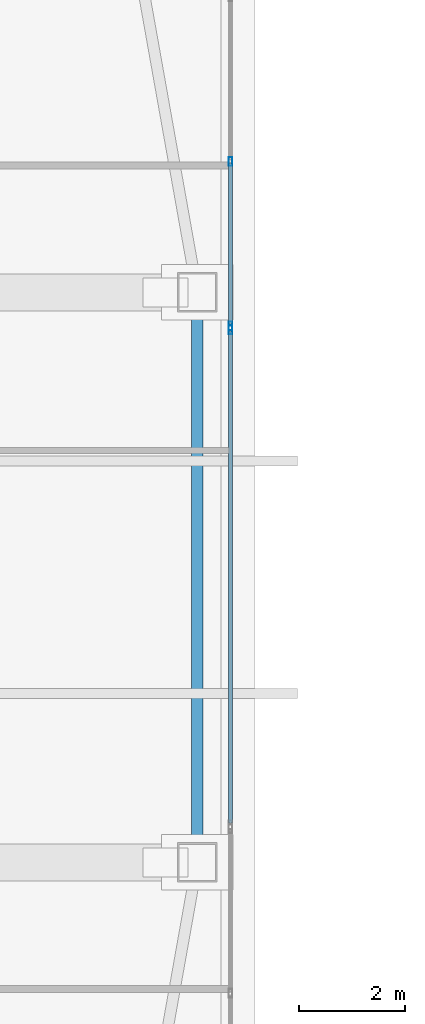
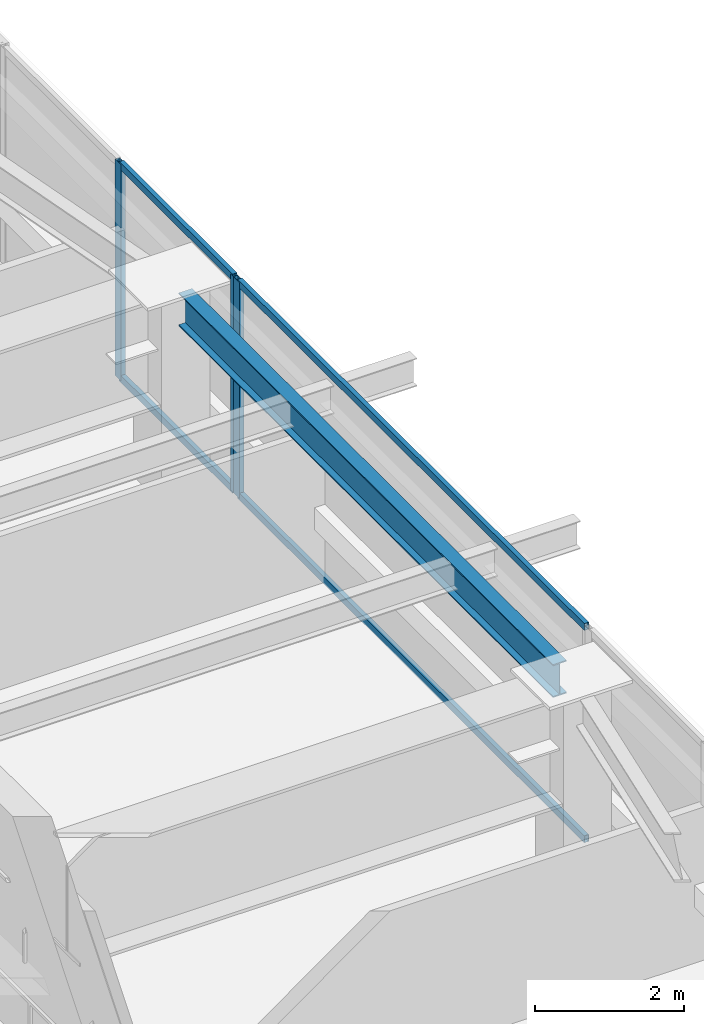
# One storey, part 11 of 40: 7 members, 1 beam, 2 elements without a shape of their own.
"""IFC4 building model written with IfcOpenShell, lengths in metres."""

from ifc_helpers import new_model, si_unit, direction, frame, origin, origin_2d, place, context, subcontext, project, spatial, hollow_rectangle, i_section, extrude, material, material_profile, profile_set, type_object, element, aggregate, save


model = new_model("IFC4")

# Units and contexts
model_context = context("Model", 3, precision=1e-05, world=origin(), true_north=direction((0.0, 1.0)))
body_context = subcontext(model_context, "Body", "Model", "MODEL_VIEW")
ifc_project = project(units=[si_unit("LENGTHUNIT", "METRE"), si_unit("AREAUNIT", "SQUARE_METRE"), si_unit("VOLUMEUNIT", "CUBIC_METRE"), si_unit("PLANEANGLEUNIT", "RADIAN"), si_unit("MASSUNIT", "GRAM", prefix="KILO")], contexts=[model_context])

# Site, building, storey
site_placement = place(None, origin())
site = spatial("IfcSite", under=ifc_project, at=site_placement, CompositionType="ELEMENT")
building_placement = place(site_placement, origin())
building = spatial("IfcBuilding", under=site, at=building_placement, Name="Tashvorn Skyway Center", CompositionType="ELEMENT")
storey_placement = place(building_placement, frame((0.0, 0.0, 229.050048828125)))
storey = spatial("IfcBuildingStorey", under=building, at=storey_placement, Name="L62", CompositionType="ELEMENT", Elevation=229.050048828125)

# Beam
ifc_material_1 = material(Name="Steel ASTM A992 Grade 50", Category="steel")
ifc_material_profile_1 = material_profile(ifc_material_1, i_section(OverallWidth=0.2109375, OverallDepth=0.5390625, WebThickness=0.01171875, FlangeThickness=0.018798828125, at=origin_2d()), Name="W21X73")
ifc_profile_set_1 = profile_set([ifc_material_profile_1], Name="Steel ASTM A992 Grade 50")
beam_type = type_object("IfcBeamType", Name="BM-SPANDREL-W21X73", PredefinedType="SPANDREL", material=ifc_profile_set_1)
beam_placement = place(storey_placement, frame((57.64990234375, 26.969970703125, 3.100341796875), z_axis=(0.0, 1.0, 0.0), x_axis=(-1.0, 0.0, 0.0)))
element("IfcBeam", 1, at=beam_placement, inside=storey, type_object=beam_type, Name="Tower 1 L62 Spandrel Beam 05", PredefinedType="SPANDREL", context=body_context, shape_type="SweptSolid", body=[
    extrude(i_section(OverallWidth=0.2109375, OverallDepth=0.5390625, WebThickness=0.01171875, FlangeThickness=0.018798828125, at=origin_2d()), origin(), (0.0, 0.0, 1.0), 10.06005859375),
])

# Curtain wall, members
ifc_material_2 = material(Name="Thermally broken bronze-anodized aluminium 6063-T6", Category="aluminium")
curtain_wall_type = type_object("IfcCurtainWallType", Name="CW-CW-Z5", PredefinedType="NOTDEFINED", material=ifc_material_2)
curtain_wall_1_placement = place(storey_placement, origin())
curtain_wall_1 = element("IfcCurtainWall", 2, at=curtain_wall_1_placement, inside=storey, type_object=curtain_wall_type, Name="Tower 1 L62 East Unitised Curtain Wall Glazing Group 1", PredefinedType="NOTDEFINED")
ifc_material_profile_2 = material_profile(ifc_material_2, hollow_rectangle(XDim=0.070068359375, YDim=0.1650390625, WallThickness=0.00390625, at=origin_2d()), Name="ALU-MULL-70x165")
ifc_profile_set_2 = profile_set([ifc_material_profile_2], Name="Thermally broken bronze-anodized aluminium 6063-T6")
member_type_1 = type_object("IfcMemberType", Name="CWM-CW-Z5", PredefinedType="MULLION", material=ifc_profile_set_2)
member_1_placement = place(storey_placement, frame((58.280029296875, 39.877685546875, 0.0), z_axis=(0.0, 0.0, 1.0), x_axis=(1.0, 0.0, 0.0)))
member_1 = element("IfcMember", 3, at=member_1_placement, type_object=member_type_1, Name="CW-Z5 mullion 2", PredefinedType="MULLION", context=body_context, shape_type="SweptSolid", body=[
    extrude(hollow_rectangle(XDim=0.070068359375, YDim=0.1650390625, WallThickness=0.00390625, at=origin_2d()), origin(), (0.0, 0.0, 1.0), 3.550048828125),
])
member_2_placement = place(storey_placement, frame((58.280029296875, 36.76171875, 0.0), z_axis=(0.0, 0.0, 1.0), x_axis=(1.0, 0.0, 0.0)))
member_2 = element("IfcMember", 4, at=member_2_placement, type_object=member_type_1, Name="CW-Z5 mullion 3", PredefinedType="MULLION", context=body_context, shape_type="SweptSolid", body=[
    extrude(hollow_rectangle(XDim=0.070068359375, YDim=0.1650390625, WallThickness=0.00390625, at=origin_2d()), origin(), (0.0, 0.0, 1.0), 3.550048828125),
])

# Curtain wall, member
curtain_wall_2_placement = place(storey_placement, origin())
curtain_wall_2 = element("IfcCurtainWall", 5, at=curtain_wall_2_placement, inside=storey, type_object=curtain_wall_type, Name="Tower 1 L62 East Unitised Curtain Wall Glazing Group 2", PredefinedType="NOTDEFINED")
member_3_placement = place(storey_placement, frame((58.280029296875, 36.691650390625, 0.0), z_axis=(0.0, 0.0, 1.0), x_axis=(1.0, 0.0, 0.0)))
member_3 = element("IfcMember", 6, at=member_3_placement, type_object=member_type_1, Name="CW-Z5 mullion 1", PredefinedType="MULLION", context=body_context, shape_type="SweptSolid", body=[
    extrude(hollow_rectangle(XDim=0.070068359375, YDim=0.1650390625, WallThickness=0.00390625, at=origin_2d()), origin(), (0.0, 0.0, 1.0), 3.550048828125),
])

# Member
ifc_material_profile_3 = material_profile(ifc_material_2, hollow_rectangle(XDim=0.070068359375, YDim=0.114990234375, WallThickness=0.00390625, at=origin_2d()), Name="ALU-TRAN-70x115")
ifc_profile_set_3 = profile_set([ifc_material_profile_3], Name="Thermally broken bronze-anodized aluminium 6063-T6")
member_type_2 = type_object("IfcMemberType", Name="CWT-CW-Z5", PredefinedType="USERDEFINED", material=ifc_profile_set_3)
member_4_placement = place(storey_placement, frame((58.280029296875, 39.8427734375, 0.034912109375), z_axis=(0.0, -1.0, 0.0), x_axis=(1.0, 0.0, 0.0)))
member_4 = element("IfcMember", 7, at=member_4_placement, type_object=member_type_2, Name="CW-Z5 transom 2.1", ObjectType="TRANSOM", PredefinedType="USERDEFINED", context=body_context, shape_type="SweptSolid", body=[
    extrude(hollow_rectangle(XDim=0.070068359375, YDim=0.114990234375, WallThickness=0.00390625, at=origin_2d()), origin(), (0.0, 0.0, 1.0), 3.046142578125),
])

member_5_placement = place(storey_placement, frame((58.280029296875, 39.8427734375, 3.514892578125), z_axis=(0.0, -1.0, 0.0), x_axis=(1.0, 0.0, 0.0)))
member_5 = element("IfcMember", 8, at=member_5_placement, type_object=member_type_2, Name="CW-Z5 transom 2.2", ObjectType="TRANSOM", PredefinedType="USERDEFINED", context=body_context, shape_type="SweptSolid", body=[
    extrude(hollow_rectangle(XDim=0.070068359375, YDim=0.114990234375, WallThickness=0.00390625, at=origin_2d()), origin(), (0.0, 0.0, 1.0), 3.046142578125),
])

aggregate(curtain_wall_1, [member_1, member_2, member_4, member_5])

member_6_placement = place(storey_placement, frame((58.280029296875, 36.65673828125, 0.034912109375), z_axis=(0.0, -1.0, 0.0), x_axis=(1.0, 0.0, 0.0)))
member_6 = element("IfcMember", 9, at=member_6_placement, type_object=member_type_2, Name="CW-Z5 transom 1.1", ObjectType="TRANSOM", PredefinedType="USERDEFINED", context=body_context, shape_type="SweptSolid", body=[
    extrude(hollow_rectangle(XDim=0.070068359375, YDim=0.114990234375, WallThickness=0.00390625, at=origin_2d()), origin(), (0.0, 0.0, 1.0), 9.3134765625),
])

member_7_placement = place(storey_placement, frame((58.280029296875, 36.65673828125, 3.514892578125), z_axis=(0.0, -1.0, 0.0), x_axis=(1.0, 0.0, 0.0)))
member_7 = element("IfcMember", 10, at=member_7_placement, type_object=member_type_2, Name="CW-Z5 transom 1.2", ObjectType="TRANSOM", PredefinedType="USERDEFINED", context=body_context, shape_type="SweptSolid", body=[
    extrude(hollow_rectangle(XDim=0.070068359375, YDim=0.114990234375, WallThickness=0.00390625, at=origin_2d()), origin(), (0.0, 0.0, 1.0), 9.3134765625),
])

aggregate(curtain_wall_2, [member_3, member_6, member_7])

save(model, "model.ifc")
